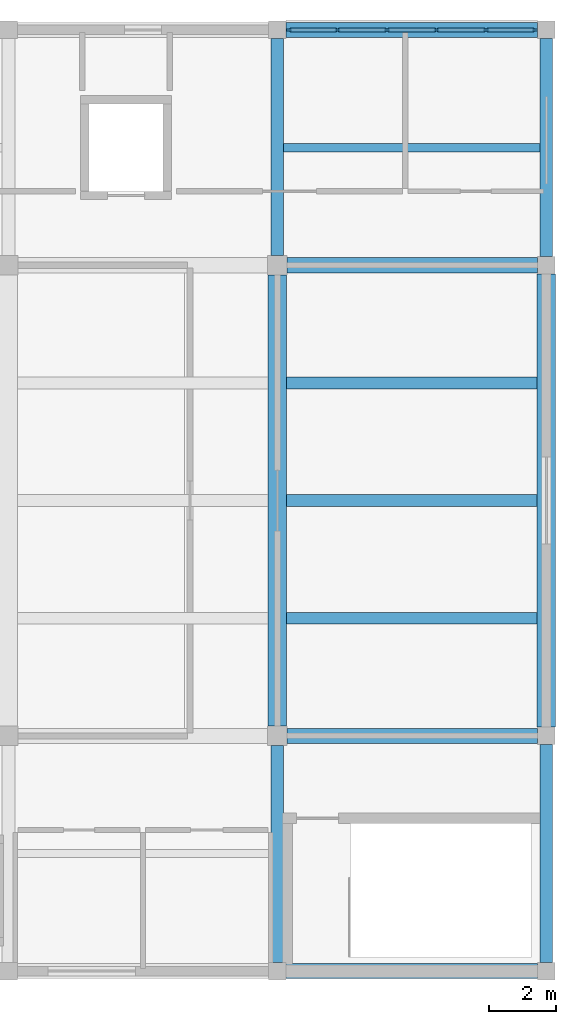
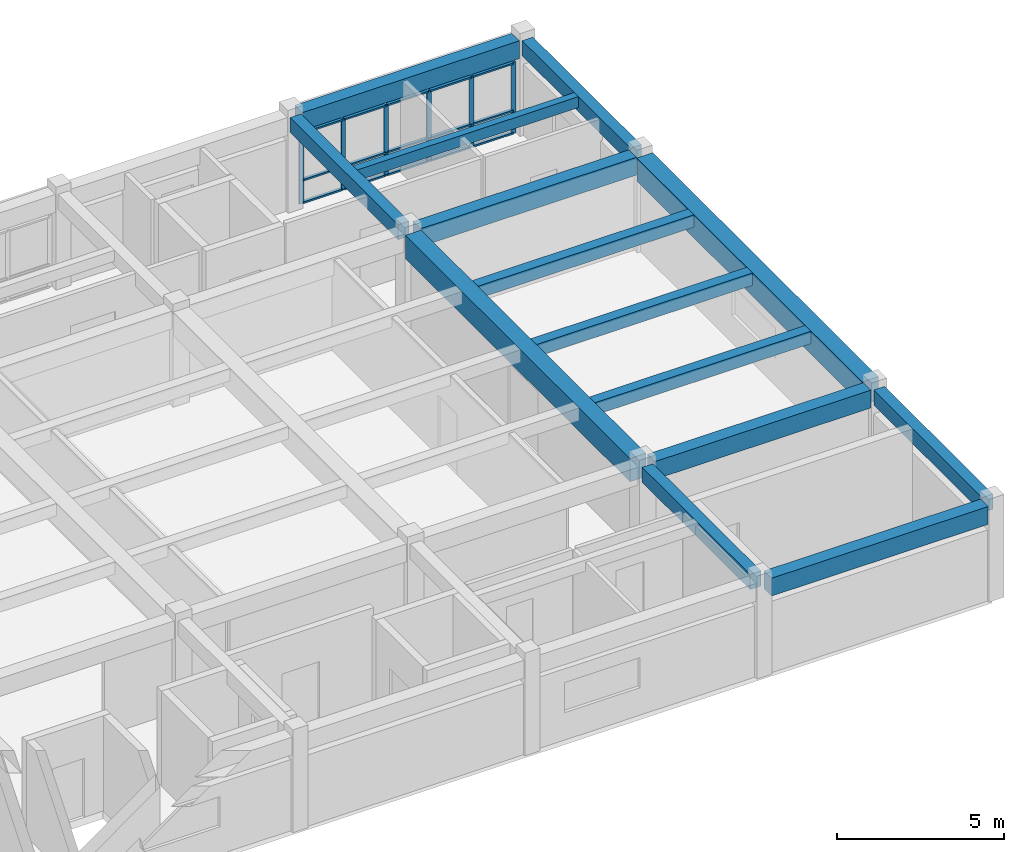
# One storey, part 3 of 7: 21 members, 14 beams, 1 element without a shape of its own.
"""IFC4 building model written with IfcOpenShell, lengths in metres."""

from ifc_helpers import new_model, si_unit, direction, frame, origin, origin_2d, place, context, subcontext, project, spatial, rectangle, extrude, material, layer, layer_set, material_profile, profile_set, type_object, element, aggregate, save


model = new_model("IFC4")

# Units and contexts
model_context = context("Model", 3, precision=1e-05, world=origin(), true_north=direction((0.0, 1.0)))
body_context = subcontext(model_context, "Body", "Model", "MODEL_VIEW")
ifc_project = project(units=[si_unit("LENGTHUNIT", "METRE"), si_unit("AREAUNIT", "SQUARE_METRE"), si_unit("VOLUMEUNIT", "CUBIC_METRE"), si_unit("PLANEANGLEUNIT", "RADIAN"), si_unit("MASSUNIT", "GRAM", prefix="KILO")], contexts=[model_context])

# Site, building, storey
site_placement = place(None, origin())
site = spatial("IfcSite", under=ifc_project, at=site_placement, CompositionType="ELEMENT")
building_placement = place(site_placement, origin())
building = spatial("IfcBuilding", under=site, at=building_placement, Name="Naurynzar Civic Courthouse", CompositionType="ELEMENT")
storey_placement = place(building_placement, frame((0.0, 0.0, 37.050048828125)))
storey = spatial("IfcBuildingStorey", under=building, at=storey_placement, Name="L10", CompositionType="ELEMENT", Elevation=37.050048828125)

# Beams
ifc_material_1 = material(Name="Concrete C40/50", Category="concrete")
ifc_material_profile_1 = material_profile(ifc_material_1, rectangle(XDim=0.25, YDim=0.39990234375, at=origin_2d()), Name="RCB 250x400")
ifc_profile_set_1 = profile_set([ifc_material_profile_1], Name="Concrete C40/50")
beam_type_1 = type_object("IfcBeamType", Name="BM-JST-250x400", PredefinedType="JOIST", material=ifc_profile_set_1)
beam_1_placement = place(storey_placement, frame((101.1875, 68.5, 3.27001953125), z_axis=(1.0, 0.0, 0.0), x_axis=(0.0, 1.0, 0.0)))
element("IfcBeam", 1, at=beam_1_placement, inside=storey, type_object=beam_type_1, Name="V2 secondary rib 1185 L10", PredefinedType="JOIST", context=body_context, shape_type="SweptSolid", body=[
    extrude(rectangle(XDim=0.25, YDim=0.39990234375, at=origin_2d()), origin(), (0.0, 0.0, 1.0), 7.625),
])
ifc_material_2 = material(Name="Concrete C40/50", Category="concrete")
ifc_material_profile_2 = material_profile(ifc_material_2, rectangle(XDim=0.550048828125, YDim=0.85009765625, at=origin_2d()), Name="PTB 550x850")
ifc_profile_set_2 = profile_set([ifc_material_profile_2], Name="Concrete C40/50")
beam_type_2 = type_object("IfcBeamType", Name="BM-PT-550x850", PredefinedType="T_BEAM", material=ifc_profile_set_2)
beam_2_placement = place(storey_placement, frame((101.0, 51.28759765625, 3.044921875), z_axis=(0.0, 1.0, 0.0), x_axis=(-1.0, 0.0, 0.0)))
element("IfcBeam", 2, at=beam_2_placement, inside=storey, type_object=beam_type_2, Name="V2 girder Y-1161 L10", PredefinedType="T_BEAM", context=body_context, shape_type="SweptSolid", body=[
    extrude(rectangle(XDim=0.550048828125, YDim=0.85009765625, at=origin_2d()), origin(), (0.0, 0.0, 1.0), 13.4248046875),
])
beam_3_placement = place(storey_placement, frame((109.0, 51.262451171875, 3.044921875), z_axis=(0.0, 1.0, 0.0), x_axis=(-1.0, 0.0, 0.0)))
element("IfcBeam", 3, at=beam_3_placement, inside=storey, type_object=beam_type_2, Name="V2 girder Y-1164 L10", PredefinedType="T_BEAM", context=body_context, shape_type="SweptSolid", body=[
    extrude(rectangle(XDim=0.550048828125, YDim=0.85009765625, at=origin_2d()), origin(), (0.0, 0.0, 1.0), 13.47509765625),
])
ifc_material_3 = material(Name="Concrete C40/50", Category="concrete")
ifc_material_profile_3 = material_profile(ifc_material_3, rectangle(XDim=0.35009765625, YDim=0.449951171875, at=origin_2d()), Name="RCB 350x450")
ifc_profile_set_3 = profile_set([ifc_material_profile_3], Name="Concrete C40/50")
beam_type_3 = type_object("IfcBeamType", Name="BM-RC-350x450", PredefinedType="BEAM", material=ifc_profile_set_3)
for number, where, z_axis, x_axis, name in (
    (4, (101.27490234375, 54.5, 3.244873046875), (1.0, 0.0, 0.0), (0.0, 1.0, 0.0), "V2 secondary rib 1179 L10"),
    (5, (101.27490234375, 58.0, 3.244873046875), (1.0, 0.0, 0.0), (0.0, 1.0, 0.0), "V2 secondary rib 1180 L10"),
    (6, (101.27490234375, 61.5, 3.244873046875), (1.0, 0.0, 0.0), (0.0, 1.0, 0.0), "V2 secondary rib 1181 L10"),
):
    element("IfcBeam", number, at=place(storey_placement, frame(where, z_axis=z_axis, x_axis=x_axis)), inside=storey, type_object=beam_type_3, Name=name, PredefinedType="BEAM", context=body_context, shape_type="SweptSolid", body=[
        extrude(rectangle(XDim=0.35009765625, YDim=0.449951171875, at=origin_2d()), origin(), (0.0, 0.0, 1.0), 7.4501953125),
    ])
ifc_material_4 = material(Name="Concrete C40/50", Category="concrete")
ifc_material_profile_4 = material_profile(ifc_material_4, rectangle(XDim=0.375, YDim=0.550048828125, at=origin_2d()), Name="RCB 375x550")
ifc_profile_set_4 = profile_set([ifc_material_profile_4], Name="Concrete C40/50")
beam_type_4 = type_object("IfcBeamType", Name="BM-RC-375x550", PredefinedType="BEAM", material=ifc_profile_set_4)
for number, where, z_axis, x_axis, name in (
    (7, (101.0, 44.262451171875, 3.195068359375), (0.0, 1.0, 0.0), (-1.0, 0.0, 0.0), "V2 girder Y-1160 L10"),
    (8, (101.0, 65.28759765625, 3.195068359375), (0.0, 1.0, 0.0), (-1.0, 0.0, 0.0), "V2 girder Y-1162 L10"),
):
    element("IfcBeam", number, at=place(storey_placement, frame(where, z_axis=z_axis, x_axis=x_axis)), inside=storey, type_object=beam_type_4, Name=name, PredefinedType="BEAM", context=body_context, shape_type="SweptSolid", body=[
        extrude(rectangle(XDim=0.375, YDim=0.550048828125, at=origin_2d()), origin(), (0.0, 0.0, 1.0), 6.449951171875),
    ])
for number, where, z_axis, x_axis, name in (
    (9, (109.0, 44.262451171875, 3.195068359375), (0.0, 1.0, 0.0), (-1.0, 0.0, 0.0), "V2 girder Y-1163 L10"),
    (10, (109.0, 65.262451171875, 3.195068359375), (0.0, 1.0, 0.0), (-1.0, 0.0, 0.0), "V2 girder Y-1165 L10"),
):
    element("IfcBeam", number, at=place(storey_placement, frame(where, z_axis=z_axis, x_axis=x_axis)), inside=storey, type_object=beam_type_4, Name=name, PredefinedType="BEAM", context=body_context, shape_type="SweptSolid", body=[
        extrude(rectangle(XDim=0.375, YDim=0.550048828125, at=origin_2d()), origin(), (0.0, 0.0, 1.0), 6.47509765625),
    ])
ifc_material_5 = material(Name="Concrete C40/50", Category="concrete")
ifc_material_profile_5 = material_profile(ifc_material_5, rectangle(XDim=0.449951171875, YDim=0.64990234375, at=origin_2d()), Name="RCB 450x650")
ifc_profile_set_5 = profile_set([ifc_material_profile_5], Name="Concrete C40/50")
beam_type_5 = type_object("IfcBeamType", Name="BM-RC-450x650", PredefinedType="BEAM", material=ifc_profile_set_5)
beam_4_placement = place(storey_placement, frame((101.262451171875, 44.0, 3.14501953125), z_axis=(1.0, 0.0, 0.0), x_axis=(0.0, 1.0, 0.0)))
element("IfcBeam", 11, at=beam_4_placement, inside=storey, type_object=beam_type_5, Name="V2 beam X-1132 L10", PredefinedType="BEAM", context=body_context, shape_type="SweptSolid", body=[
    extrude(rectangle(XDim=0.449951171875, YDim=0.64990234375, at=origin_2d()), origin(), (0.0, 0.0, 1.0), 7.47509765625),
])
for number, where, z_axis, x_axis, name in (
    (12, (101.28759765625, 51.0, 3.14501953125), (1.0, 0.0, 0.0), (0.0, 1.0, 0.0), "V2 beam X-1137 L10"),
    (13, (101.28759765625, 65.0, 3.14501953125), (1.0, 0.0, 0.0), (0.0, 1.0, 0.0), "V2 beam X-1142 L10"),
):
    element("IfcBeam", number, at=place(storey_placement, frame(where, z_axis=z_axis, x_axis=x_axis)), inside=storey, type_object=beam_type_5, Name=name, PredefinedType="BEAM", context=body_context, shape_type="SweptSolid", body=[
        extrude(rectangle(XDim=0.449951171875, YDim=0.64990234375, at=origin_2d()), origin(), (0.0, 0.0, 1.0), 7.449951171875),
    ])
beam_5_placement = place(storey_placement, frame((101.262451171875, 72.0, 3.14501953125), z_axis=(1.0, 0.0, 0.0), x_axis=(0.0, 1.0, 0.0)))
element("IfcBeam", 14, at=beam_5_placement, inside=storey, type_object=beam_type_5, Name="V2 beam X-1147 L10", PredefinedType="BEAM", context=body_context, shape_type="SweptSolid", body=[
    extrude(rectangle(XDim=0.449951171875, YDim=0.64990234375, at=origin_2d()), origin(), (0.0, 0.0, 1.0), 7.47509765625),
])

# Curtain wall, members
ifc_material_6 = material(Name="Aluminium 6063-T6", Category="aluminium")
ifc_layer = layer(ifc_material_6, 0.179931640625)
ifc_layer_set = layer_set([ifc_layer], Name="CW-UNIT-1500")
curtain_wall_type = type_object("IfcCurtainWallType", Name="CW-UNIT-1500", PredefinedType="NOTDEFINED", material=ifc_layer_set)
curtain_wall_placement = place(storey_placement, origin())
curtain_wall = element("IfcCurtainWall", 15, at=curtain_wall_placement, inside=storey, type_object=curtain_wall_type, Name="V2 unitised curtain wall 63 L10", PredefinedType="NOTDEFINED")
ifc_material_7 = material(Name="Aluminium 6063-T6", Category="aluminium")
ifc_material_profile_6 = material_profile(ifc_material_7, rectangle(XDim=0.06005859375, YDim=0.14990234375, at=origin_2d()), Name="ALU MULLION 60x150")
ifc_profile_set_6 = profile_set([ifc_material_profile_6], Name="Aluminium 6063-T6")
member_type_1 = type_object("IfcMemberType", Name="CWM-60x150", PredefinedType="MULLION", material=ifc_profile_set_6)
member_1_placement = place(storey_placement, frame((101.342529296875, 72.0, 0.0), z_axis=(0.0, 0.0, 1.0), x_axis=(0.0, 1.0, 0.0)))
member_1 = element("IfcMember", 16, at=member_1_placement, type_object=member_type_1, Name="CW-01 mullion 1", PredefinedType="MULLION", context=body_context, shape_type="SweptSolid", body=[
    extrude(rectangle(XDim=0.06005859375, YDim=0.14990234375, at=origin_2d()), origin(), (0.0, 0.0, 1.0), 2.599853515625),
])
member_2_placement = place(storey_placement, frame((102.78759765625, 72.0, 0.0), z_axis=(0.0, 0.0, 1.0), x_axis=(0.0, 1.0, 0.0)))
member_2 = element("IfcMember", 17, at=member_2_placement, type_object=member_type_1, Name="CW-01 mullion 2", PredefinedType="MULLION", context=body_context, shape_type="SweptSolid", body=[
    extrude(rectangle(XDim=0.06005859375, YDim=0.14990234375, at=origin_2d()), origin(), (0.0, 0.0, 1.0), 2.599853515625),
])
member_3_placement = place(storey_placement, frame((104.262451171875, 72.0, 0.0), z_axis=(0.0, 0.0, 1.0), x_axis=(0.0, 1.0, 0.0)))
member_3 = element("IfcMember", 18, at=member_3_placement, type_object=member_type_1, Name="CW-01 mullion 3", PredefinedType="MULLION", context=body_context, shape_type="SweptSolid", body=[
    extrude(rectangle(XDim=0.06005859375, YDim=0.14990234375, at=origin_2d()), origin(), (0.0, 0.0, 1.0), 2.599853515625),
])
member_4_placement = place(storey_placement, frame((105.737548828125, 72.0, 0.0), z_axis=(0.0, 0.0, 1.0), x_axis=(0.0, 1.0, 0.0)))
member_4 = element("IfcMember", 19, at=member_4_placement, type_object=member_type_1, Name="CW-01 mullion 4", PredefinedType="MULLION", context=body_context, shape_type="SweptSolid", body=[
    extrude(rectangle(XDim=0.06005859375, YDim=0.14990234375, at=origin_2d()), origin(), (0.0, 0.0, 1.0), 2.599853515625),
])
member_5_placement = place(storey_placement, frame((107.21240234375, 72.0, 0.0), z_axis=(0.0, 0.0, 1.0), x_axis=(0.0, 1.0, 0.0)))
member_5 = element("IfcMember", 20, at=member_5_placement, type_object=member_type_1, Name="CW-01 mullion 5", PredefinedType="MULLION", context=body_context, shape_type="SweptSolid", body=[
    extrude(rectangle(XDim=0.06005859375, YDim=0.14990234375, at=origin_2d()), origin(), (0.0, 0.0, 1.0), 2.599853515625),
])
member_6_placement = place(storey_placement, frame((108.657470703125, 72.0, 0.0), z_axis=(0.0, 0.0, 1.0), x_axis=(0.0, 1.0, 0.0)))
member_6 = element("IfcMember", 21, at=member_6_placement, type_object=member_type_1, Name="CW-01 mullion 6", PredefinedType="MULLION", context=body_context, shape_type="SweptSolid", body=[
    extrude(rectangle(XDim=0.06005859375, YDim=0.14990234375, at=origin_2d()), origin(), (0.0, 0.0, 1.0), 2.599853515625),
])
ifc_material_8 = material(Name="Aluminium 6063-T6", Category="aluminium")
ifc_material_profile_7 = material_profile(ifc_material_8, rectangle(XDim=0.110107421875, YDim=0.06005859375, at=origin_2d()), Name="ALU TRANSOM 60x110")
ifc_profile_set_7 = profile_set([ifc_material_profile_7], Name="Aluminium 6063-T6")
member_type_2 = type_object("IfcMemberType", Name="CWT-60x110", PredefinedType="USERDEFINED", material=ifc_profile_set_7)
member_7_placement = place(storey_placement, frame((101.37255859375, 72.0, 0.030029296875), z_axis=(1.0, 0.0, 0.0), x_axis=(0.0, 1.0, 0.0)))
member_7 = element("IfcMember", 22, at=member_7_placement, type_object=member_type_2, Name="CW-01 transom 1.1", ObjectType="TRANSOM", PredefinedType="USERDEFINED", context=body_context, shape_type="SweptSolid", body=[
    extrude(rectangle(XDim=0.110107421875, YDim=0.06005859375, at=origin_2d()), origin(), (0.0, 0.0, 1.0), 1.385009765625),
])
member_8_placement = place(storey_placement, frame((101.37255859375, 72.0, 0.849853515625), z_axis=(1.0, 0.0, 0.0), x_axis=(0.0, 1.0, 0.0)))
member_8 = element("IfcMember", 23, at=member_8_placement, type_object=member_type_2, Name="CW-01 transom 1.2", ObjectType="TRANSOM", PredefinedType="USERDEFINED", context=body_context, shape_type="SweptSolid", body=[
    extrude(rectangle(XDim=0.110107421875, YDim=0.06005859375, at=origin_2d()), origin(), (0.0, 0.0, 1.0), 1.385009765625),
])
member_9_placement = place(storey_placement, frame((101.37255859375, 72.0, 2.570068359375), z_axis=(1.0, 0.0, 0.0), x_axis=(0.0, 1.0, 0.0)))
member_9 = element("IfcMember", 24, at=member_9_placement, type_object=member_type_2, Name="CW-01 transom 1.3", ObjectType="TRANSOM", PredefinedType="USERDEFINED", context=body_context, shape_type="SweptSolid", body=[
    extrude(rectangle(XDim=0.110107421875, YDim=0.06005859375, at=origin_2d()), origin(), (0.0, 0.0, 1.0), 1.385009765625),
])
member_10_placement = place(storey_placement, frame((102.8173828125, 72.0, 0.030029296875), z_axis=(1.0, 0.0, 0.0), x_axis=(0.0, 1.0, 0.0)))
member_10 = element("IfcMember", 25, at=member_10_placement, type_object=member_type_2, Name="CW-01 transom 2.1", ObjectType="TRANSOM", PredefinedType="USERDEFINED", context=body_context, shape_type="SweptSolid", body=[
    extrude(rectangle(XDim=0.110107421875, YDim=0.06005859375, at=origin_2d()), origin(), (0.0, 0.0, 1.0), 1.4150390625),
])
member_11_placement = place(storey_placement, frame((102.8173828125, 72.0, 0.849853515625), z_axis=(1.0, 0.0, 0.0), x_axis=(0.0, 1.0, 0.0)))
member_11 = element("IfcMember", 26, at=member_11_placement, type_object=member_type_2, Name="CW-01 transom 2.2", ObjectType="TRANSOM", PredefinedType="USERDEFINED", context=body_context, shape_type="SweptSolid", body=[
    extrude(rectangle(XDim=0.110107421875, YDim=0.06005859375, at=origin_2d()), origin(), (0.0, 0.0, 1.0), 1.4150390625),
])
member_12_placement = place(storey_placement, frame((102.8173828125, 72.0, 2.570068359375), z_axis=(1.0, 0.0, 0.0), x_axis=(0.0, 1.0, 0.0)))
member_12 = element("IfcMember", 27, at=member_12_placement, type_object=member_type_2, Name="CW-01 transom 2.3", ObjectType="TRANSOM", PredefinedType="USERDEFINED", context=body_context, shape_type="SweptSolid", body=[
    extrude(rectangle(XDim=0.110107421875, YDim=0.06005859375, at=origin_2d()), origin(), (0.0, 0.0, 1.0), 1.4150390625),
])
member_13_placement = place(storey_placement, frame((104.29248046875, 72.0, 0.030029296875), z_axis=(1.0, 0.0, 0.0), x_axis=(0.0, 1.0, 0.0)))
member_13 = element("IfcMember", 28, at=member_13_placement, type_object=member_type_2, Name="CW-01 transom 3.1", ObjectType="TRANSOM", PredefinedType="USERDEFINED", context=body_context, shape_type="SweptSolid", body=[
    extrude(rectangle(XDim=0.110107421875, YDim=0.06005859375, at=origin_2d()), origin(), (0.0, 0.0, 1.0), 1.4150390625),
])
member_14_placement = place(storey_placement, frame((104.29248046875, 72.0, 0.849853515625), z_axis=(1.0, 0.0, 0.0), x_axis=(0.0, 1.0, 0.0)))
member_14 = element("IfcMember", 29, at=member_14_placement, type_object=member_type_2, Name="CW-01 transom 3.2", ObjectType="TRANSOM", PredefinedType="USERDEFINED", context=body_context, shape_type="SweptSolid", body=[
    extrude(rectangle(XDim=0.110107421875, YDim=0.06005859375, at=origin_2d()), origin(), (0.0, 0.0, 1.0), 1.4150390625),
])
member_15_placement = place(storey_placement, frame((104.29248046875, 72.0, 2.570068359375), z_axis=(1.0, 0.0, 0.0), x_axis=(0.0, 1.0, 0.0)))
member_15 = element("IfcMember", 30, at=member_15_placement, type_object=member_type_2, Name="CW-01 transom 3.3", ObjectType="TRANSOM", PredefinedType="USERDEFINED", context=body_context, shape_type="SweptSolid", body=[
    extrude(rectangle(XDim=0.110107421875, YDim=0.06005859375, at=origin_2d()), origin(), (0.0, 0.0, 1.0), 1.4150390625),
])
member_16_placement = place(storey_placement, frame((105.767578125, 72.0, 0.030029296875), z_axis=(1.0, 0.0, 0.0), x_axis=(0.0, 1.0, 0.0)))
member_16 = element("IfcMember", 31, at=member_16_placement, type_object=member_type_2, Name="CW-01 transom 4.1", ObjectType="TRANSOM", PredefinedType="USERDEFINED", context=body_context, shape_type="SweptSolid", body=[
    extrude(rectangle(XDim=0.110107421875, YDim=0.06005859375, at=origin_2d()), origin(), (0.0, 0.0, 1.0), 1.4150390625),
])
member_17_placement = place(storey_placement, frame((105.767578125, 72.0, 0.849853515625), z_axis=(1.0, 0.0, 0.0), x_axis=(0.0, 1.0, 0.0)))
member_17 = element("IfcMember", 32, at=member_17_placement, type_object=member_type_2, Name="CW-01 transom 4.2", ObjectType="TRANSOM", PredefinedType="USERDEFINED", context=body_context, shape_type="SweptSolid", body=[
    extrude(rectangle(XDim=0.110107421875, YDim=0.06005859375, at=origin_2d()), origin(), (0.0, 0.0, 1.0), 1.4150390625),
])
member_18_placement = place(storey_placement, frame((105.767578125, 72.0, 2.570068359375), z_axis=(1.0, 0.0, 0.0), x_axis=(0.0, 1.0, 0.0)))
member_18 = element("IfcMember", 33, at=member_18_placement, type_object=member_type_2, Name="CW-01 transom 4.3", ObjectType="TRANSOM", PredefinedType="USERDEFINED", context=body_context, shape_type="SweptSolid", body=[
    extrude(rectangle(XDim=0.110107421875, YDim=0.06005859375, at=origin_2d()), origin(), (0.0, 0.0, 1.0), 1.4150390625),
])
member_19_placement = place(storey_placement, frame((107.242431640625, 72.0, 0.030029296875), z_axis=(1.0, 0.0, 0.0), x_axis=(0.0, 1.0, 0.0)))
member_19 = element("IfcMember", 34, at=member_19_placement, type_object=member_type_2, Name="CW-01 transom 5.1", ObjectType="TRANSOM", PredefinedType="USERDEFINED", context=body_context, shape_type="SweptSolid", body=[
    extrude(rectangle(XDim=0.110107421875, YDim=0.06005859375, at=origin_2d()), origin(), (0.0, 0.0, 1.0), 1.385009765625),
])
member_20_placement = place(storey_placement, frame((107.242431640625, 72.0, 0.849853515625), z_axis=(1.0, 0.0, 0.0), x_axis=(0.0, 1.0, 0.0)))
member_20 = element("IfcMember", 35, at=member_20_placement, type_object=member_type_2, Name="CW-01 transom 5.2", ObjectType="TRANSOM", PredefinedType="USERDEFINED", context=body_context, shape_type="SweptSolid", body=[
    extrude(rectangle(XDim=0.110107421875, YDim=0.06005859375, at=origin_2d()), origin(), (0.0, 0.0, 1.0), 1.385009765625),
])
member_21_placement = place(storey_placement, frame((107.242431640625, 72.0, 2.570068359375), z_axis=(1.0, 0.0, 0.0), x_axis=(0.0, 1.0, 0.0)))
member_21 = element("IfcMember", 36, at=member_21_placement, type_object=member_type_2, Name="CW-01 transom 5.3", ObjectType="TRANSOM", PredefinedType="USERDEFINED", context=body_context, shape_type="SweptSolid", body=[
    extrude(rectangle(XDim=0.110107421875, YDim=0.06005859375, at=origin_2d()), origin(), (0.0, 0.0, 1.0), 1.385009765625),
])
aggregate(curtain_wall, [member_1, member_2, member_3, member_4, member_5, member_6, member_7, member_8, member_9, member_10, member_11, member_12, member_13, member_14, member_15, member_16, member_17, member_18, member_19, member_20, member_21])

save(model, "model.ifc")
